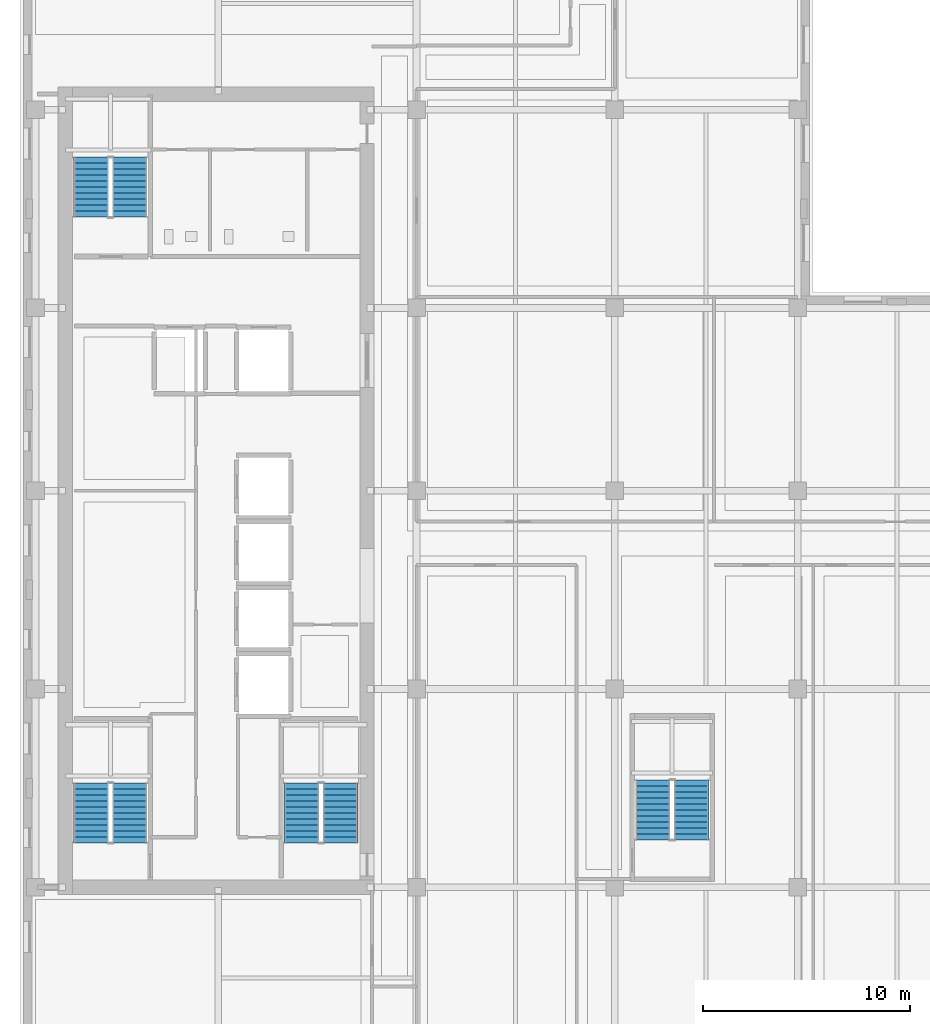
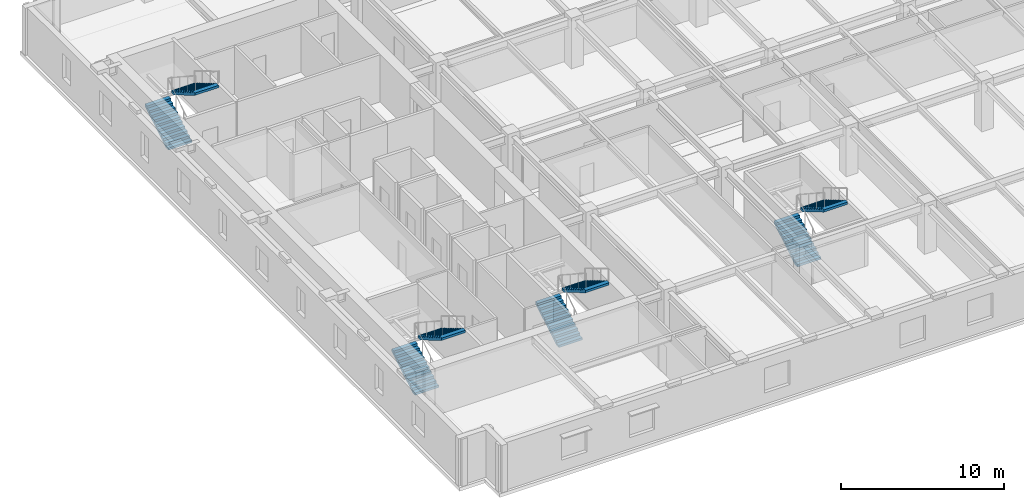
# One storey, part 7 of 14: 8 stair flights, 4 elements without a shape of their own.
"""IFC4 building model written with IfcOpenShell, lengths in metres."""

from ifc_helpers import new_model, si_unit, direction, frame, origin, place, context, subcontext, project, spatial, polyline, outline, extrude, material, type_object, element, aggregate, save


model = new_model("IFC4")

# Units and contexts
model_context = context("Model", 3, precision=1e-05, world=origin(), true_north=direction((0.0, 1.0)))
body_context = subcontext(model_context, "Body", "Model", "MODEL_VIEW")
ifc_project = project(units=[si_unit("LENGTHUNIT", "METRE"), si_unit("AREAUNIT", "SQUARE_METRE"), si_unit("VOLUMEUNIT", "CUBIC_METRE"), si_unit("PLANEANGLEUNIT", "RADIAN"), si_unit("MASSUNIT", "GRAM", prefix="KILO")], contexts=[model_context])

# Site, building, storey
site_placement = place(None, origin())
site = spatial("IfcSite", under=ifc_project, at=site_placement, CompositionType="ELEMENT")
building_placement = place(site_placement, origin())
building = spatial("IfcBuilding", under=site, at=building_placement, Name="Norrvale University Quadrangle", CompositionType="ELEMENT")
storey_placement = place(building_placement, frame((0.0, 0.0, 214.199951171875)))
storey = spatial("IfcBuildingStorey", under=building, at=storey_placement, Name="L54", CompositionType="ELEMENT", Elevation=214.199951171875)

# Stair, stair flights
ifc_material = material(Name="Concrete C40/50", Category="concrete")
stair_type = type_object("IfcStairType", Name="Stair Tower Typ 3800", PredefinedType="TWO_STRAIGHT_RUN_STAIR", material=ifc_material)
stair_1_placement = place(storey_placement, origin())
stair_1 = element("IfcStair", 1, at=stair_1_placement, inside=storey, type_object=stair_type, Name="Exit Stair ST-01 L54", PredefinedType="TWO_STRAIGHT_RUN_STAIR")
stair_flight_type = type_object("IfcStairFlightType", Name="Flight Typ 1500", PredefinedType="STRAIGHT", material=ifc_material)
stair_flight_1_placement = place(storey_placement, frame((3.429931640625, 11.75, 0.0), z_axis=(0.0, 0.0, 1.0), x_axis=(0.0, 1.0, 0.0)))
stair_flight_1 = element("IfcStairFlight", 2, at=stair_flight_1_placement, type_object=stair_flight_type, Name="Exit Stair ST-01 L54 Lower Flight", NumberOfRisers=11, NumberOfTreads=10, PredefinedType="STRAIGHT", RiserHeight=0.172727, TreadLength=0.29, context=body_context, shape_type="SweptSolid", body=[
    extrude(outline(polyline([(0.0, 0.0), (0.0, 0.172607421875), (0.2900390625, 0.172607421875), (0.2900390625, 0.345458984375), (0.580078125, 0.345458984375), (0.580078125, 0.51806640625), (0.8701171875, 0.51806640625), (0.8701171875, 0.69091796875), (1.159912109375, 0.69091796875), (1.159912109375, 0.863525390625), (1.449951171875, 0.863525390625), (1.449951171875, 1.036376953125), (1.739990234375, 1.036376953125), (1.739990234375, 1.208984375), (2.030029296875, 1.208984375), (2.030029296875, 1.3818359375), (2.320068359375, 1.3818359375), (2.320068359375, 1.554443359375), (2.610107421875, 1.554443359375), (2.610107421875, 1.727294921875), (2.89990234375, 1.727294921875), (2.89990234375, 1.89990234375), (2.89990234375, 1.552734375), (0.29296875, 0.0), (0.0, 0.0)])), frame((0.0, 0.83984375, 0.0), z_axis=(0.0, -1.0, 0.0), x_axis=(1.0, 0.0, 0.0)), (0.0, 0.0, 1.0), 1.679931640625),
])
stair_flight_2_placement = place(storey_placement, frame((5.320068359375, 14.64990234375, 1.900146484375), z_axis=(0.0, 0.0, 1.0), x_axis=(0.0, -1.0, 0.0)))
stair_flight_2 = element("IfcStairFlight", 3, at=stair_flight_2_placement, type_object=stair_flight_type, Name="Exit Stair ST-01 L54 Upper Flight", NumberOfRisers=11, NumberOfTreads=10, PredefinedType="STRAIGHT", RiserHeight=0.172727, TreadLength=0.29, context=body_context, shape_type="SweptSolid", body=[
    extrude(outline(polyline([(0.0, 0.0), (0.0, 0.172607421875), (0.2900390625, 0.172607421875), (0.2900390625, 0.345458984375), (0.580078125, 0.345458984375), (0.580078125, 0.51806640625), (0.8701171875, 0.51806640625), (0.8701171875, 0.69091796875), (1.159912109375, 0.69091796875), (1.159912109375, 0.863525390625), (1.449951171875, 0.863525390625), (1.449951171875, 1.036376953125), (1.739990234375, 1.036376953125), (1.739990234375, 1.208984375), (2.030029296875, 1.208984375), (2.030029296875, 1.3818359375), (2.320068359375, 1.3818359375), (2.320068359375, 1.554443359375), (2.610107421875, 1.554443359375), (2.610107421875, 1.727294921875), (2.89990234375, 1.727294921875), (2.89990234375, 1.89990234375), (2.89990234375, 1.552734375), (0.29296875, 0.0), (0.0, 0.0)])), frame((0.0, 0.83984375, 0.0), z_axis=(0.0, -1.0, 0.0), x_axis=(1.0, 0.0, 0.0)), (0.0, 0.0, 1.0), 1.679931640625),
])
aggregate(stair_1, [stair_flight_1, stair_flight_2])

stair_2_placement = place(storey_placement, origin())
stair_2 = element("IfcStair", 4, at=stair_2_placement, inside=storey, type_object=stair_type, Name="Exit Stair ST-02 L54", PredefinedType="TWO_STRAIGHT_RUN_STAIR")
stair_flight_3_placement = place(storey_placement, frame((3.429931640625, 42.050048828125, 0.0), z_axis=(0.0, 0.0, 1.0), x_axis=(0.0, 1.0, 0.0)))
stair_flight_3 = element("IfcStairFlight", 5, at=stair_flight_3_placement, type_object=stair_flight_type, Name="Exit Stair ST-02 L54 Lower Flight", NumberOfRisers=11, NumberOfTreads=10, PredefinedType="STRAIGHT", RiserHeight=0.172727, TreadLength=0.29, context=body_context, shape_type="SweptSolid", body=[
    extrude(outline(polyline([(0.0, 0.0), (0.0, 0.172607421875), (0.2900390625, 0.172607421875), (0.2900390625, 0.345458984375), (0.580078125, 0.345458984375), (0.580078125, 0.51806640625), (0.8701171875, 0.51806640625), (0.8701171875, 0.69091796875), (1.159912109375, 0.69091796875), (1.159912109375, 0.863525390625), (1.449951171875, 0.863525390625), (1.449951171875, 1.036376953125), (1.739990234375, 1.036376953125), (1.739990234375, 1.208984375), (2.030029296875, 1.208984375), (2.030029296875, 1.3818359375), (2.320068359375, 1.3818359375), (2.320068359375, 1.554443359375), (2.610107421875, 1.554443359375), (2.610107421875, 1.727294921875), (2.89990234375, 1.727294921875), (2.89990234375, 1.89990234375), (2.89990234375, 1.552734375), (0.29296875, 0.0), (0.0, 0.0)])), frame((0.0, 0.83984375, 0.0), z_axis=(0.0, -1.0, 0.0), x_axis=(1.0, 0.0, 0.0)), (0.0, 0.0, 1.0), 1.679931640625),
])
stair_flight_4_placement = place(storey_placement, frame((5.320068359375, 44.949951171875, 1.900146484375), z_axis=(0.0, 0.0, 1.0), x_axis=(0.0, -1.0, 0.0)))
stair_flight_4 = element("IfcStairFlight", 6, at=stair_flight_4_placement, type_object=stair_flight_type, Name="Exit Stair ST-02 L54 Upper Flight", NumberOfRisers=11, NumberOfTreads=10, PredefinedType="STRAIGHT", RiserHeight=0.172727, TreadLength=0.29, context=body_context, shape_type="SweptSolid", body=[
    extrude(outline(polyline([(0.0, 0.0), (0.0, 0.172607421875), (0.2900390625, 0.172607421875), (0.2900390625, 0.345458984375), (0.580078125, 0.345458984375), (0.580078125, 0.51806640625), (0.8701171875, 0.51806640625), (0.8701171875, 0.69091796875), (1.159912109375, 0.69091796875), (1.159912109375, 0.863525390625), (1.449951171875, 0.863525390625), (1.449951171875, 1.036376953125), (1.739990234375, 1.036376953125), (1.739990234375, 1.208984375), (2.030029296875, 1.208984375), (2.030029296875, 1.3818359375), (2.320068359375, 1.3818359375), (2.320068359375, 1.554443359375), (2.610107421875, 1.554443359375), (2.610107421875, 1.727294921875), (2.89990234375, 1.727294921875), (2.89990234375, 1.89990234375), (2.89990234375, 1.552734375), (0.29296875, 0.0), (0.0, 0.0)])), frame((0.0, 0.83984375, 0.0), z_axis=(0.0, -1.0, 0.0), x_axis=(1.0, 0.0, 0.0)), (0.0, 0.0, 1.0), 1.679931640625),
])
aggregate(stair_2, [stair_flight_3, stair_flight_4])

stair_3_placement = place(storey_placement, origin())
stair_3 = element("IfcStair", 7, at=stair_3_placement, inside=storey, type_object=stair_type, Name="Exit Stair ST-03 L54", PredefinedType="TWO_STRAIGHT_RUN_STAIR")
stair_flight_5_placement = place(storey_placement, frame((13.6298828125, 11.75, 0.0), z_axis=(0.0, 0.0, 1.0), x_axis=(0.0, 1.0, 0.0)))
stair_flight_5 = element("IfcStairFlight", 8, at=stair_flight_5_placement, type_object=stair_flight_type, Name="Exit Stair ST-03 L54 Lower Flight", NumberOfRisers=11, NumberOfTreads=10, PredefinedType="STRAIGHT", RiserHeight=0.172727, TreadLength=0.29, context=body_context, shape_type="SweptSolid", body=[
    extrude(outline(polyline([(0.0, 0.0), (0.0, 0.172607421875), (0.2900390625, 0.172607421875), (0.2900390625, 0.345458984375), (0.580078125, 0.345458984375), (0.580078125, 0.51806640625), (0.8701171875, 0.51806640625), (0.8701171875, 0.69091796875), (1.159912109375, 0.69091796875), (1.159912109375, 0.863525390625), (1.449951171875, 0.863525390625), (1.449951171875, 1.036376953125), (1.739990234375, 1.036376953125), (1.739990234375, 1.208984375), (2.030029296875, 1.208984375), (2.030029296875, 1.3818359375), (2.320068359375, 1.3818359375), (2.320068359375, 1.554443359375), (2.610107421875, 1.554443359375), (2.610107421875, 1.727294921875), (2.89990234375, 1.727294921875), (2.89990234375, 1.89990234375), (2.89990234375, 1.552734375), (0.29296875, 0.0), (0.0, 0.0)])), frame((0.0, 0.83984375, 0.0), z_axis=(0.0, -1.0, 0.0), x_axis=(1.0, 0.0, 0.0)), (0.0, 0.0, 1.0), 1.679931640625),
])
stair_flight_6_placement = place(storey_placement, frame((15.52001953125, 14.64990234375, 1.900146484375), z_axis=(0.0, 0.0, 1.0), x_axis=(0.0, -1.0, 0.0)))
stair_flight_6 = element("IfcStairFlight", 9, at=stair_flight_6_placement, type_object=stair_flight_type, Name="Exit Stair ST-03 L54 Upper Flight", NumberOfRisers=11, NumberOfTreads=10, PredefinedType="STRAIGHT", RiserHeight=0.172727, TreadLength=0.29, context=body_context, shape_type="SweptSolid", body=[
    extrude(outline(polyline([(0.0, 0.0), (0.0, 0.172607421875), (0.2900390625, 0.172607421875), (0.2900390625, 0.345458984375), (0.580078125, 0.345458984375), (0.580078125, 0.51806640625), (0.8701171875, 0.51806640625), (0.8701171875, 0.69091796875), (1.159912109375, 0.69091796875), (1.159912109375, 0.863525390625), (1.449951171875, 0.863525390625), (1.449951171875, 1.036376953125), (1.739990234375, 1.036376953125), (1.739990234375, 1.208984375), (2.030029296875, 1.208984375), (2.030029296875, 1.3818359375), (2.320068359375, 1.3818359375), (2.320068359375, 1.554443359375), (2.610107421875, 1.554443359375), (2.610107421875, 1.727294921875), (2.89990234375, 1.727294921875), (2.89990234375, 1.89990234375), (2.89990234375, 1.552734375), (0.29296875, 0.0), (0.0, 0.0)])), frame((0.0, 0.83984375, 0.0), z_axis=(0.0, -1.0, 0.0), x_axis=(1.0, 0.0, 0.0)), (0.0, 0.0, 1.0), 1.679931640625),
])
aggregate(stair_3, [stair_flight_5, stair_flight_6])

stair_4_placement = place(storey_placement, origin())
stair_4 = element("IfcStair", 10, at=stair_4_placement, inside=storey, type_object=stair_type, Name="Exit Stair ST-04 L54", PredefinedType="TWO_STRAIGHT_RUN_STAIR")
stair_flight_7_placement = place(storey_placement, frame((30.6298828125, 11.89990234375, 0.0), z_axis=(0.0, 0.0, 1.0), x_axis=(0.0, 1.0, 0.0)))
stair_flight_7 = element("IfcStairFlight", 11, at=stair_flight_7_placement, type_object=stair_flight_type, Name="Exit Stair ST-04 L54 Lower Flight", NumberOfRisers=11, NumberOfTreads=10, PredefinedType="STRAIGHT", RiserHeight=0.172727, TreadLength=0.29, context=body_context, shape_type="SweptSolid", body=[
    extrude(outline(polyline([(0.0, 0.0), (0.0, 0.172607421875), (0.2900390625, 0.172607421875), (0.2900390625, 0.345458984375), (0.580078125, 0.345458984375), (0.580078125, 0.51806640625), (0.8701171875, 0.51806640625), (0.8701171875, 0.69091796875), (1.159912109375, 0.69091796875), (1.159912109375, 0.863525390625), (1.449951171875, 0.863525390625), (1.449951171875, 1.036376953125), (1.739990234375, 1.036376953125), (1.739990234375, 1.208984375), (2.030029296875, 1.208984375), (2.030029296875, 1.3818359375), (2.320068359375, 1.3818359375), (2.320068359375, 1.554443359375), (2.610107421875, 1.554443359375), (2.610107421875, 1.727294921875), (2.89990234375, 1.727294921875), (2.89990234375, 1.89990234375), (2.89990234375, 1.552734375), (0.29296875, 0.0), (0.0, 0.0)])), frame((0.0, 0.83984375, 0.0), z_axis=(0.0, -1.0, 0.0), x_axis=(1.0, 0.0, 0.0)), (0.0, 0.0, 1.0), 1.679931640625),
])
stair_flight_8_placement = place(storey_placement, frame((32.52001953125, 14.800048828125, 1.900146484375), z_axis=(0.0, 0.0, 1.0), x_axis=(0.0, -1.0, 0.0)))
stair_flight_8 = element("IfcStairFlight", 12, at=stair_flight_8_placement, type_object=stair_flight_type, Name="Exit Stair ST-04 L54 Upper Flight", NumberOfRisers=11, NumberOfTreads=10, PredefinedType="STRAIGHT", RiserHeight=0.172727, TreadLength=0.29, context=body_context, shape_type="SweptSolid", body=[
    extrude(outline(polyline([(0.0, 0.0), (0.0, 0.172607421875), (0.2900390625, 0.172607421875), (0.2900390625, 0.345458984375), (0.580078125, 0.345458984375), (0.580078125, 0.51806640625), (0.8701171875, 0.51806640625), (0.8701171875, 0.69091796875), (1.159912109375, 0.69091796875), (1.159912109375, 0.863525390625), (1.449951171875, 0.863525390625), (1.449951171875, 1.036376953125), (1.739990234375, 1.036376953125), (1.739990234375, 1.208984375), (2.030029296875, 1.208984375), (2.030029296875, 1.3818359375), (2.320068359375, 1.3818359375), (2.320068359375, 1.554443359375), (2.610107421875, 1.554443359375), (2.610107421875, 1.727294921875), (2.89990234375, 1.727294921875), (2.89990234375, 1.89990234375), (2.89990234375, 1.552734375), (0.29296875, 0.0), (0.0, 0.0)])), frame((0.0, 0.83984375, 0.0), z_axis=(0.0, -1.0, 0.0), x_axis=(1.0, 0.0, 0.0)), (0.0, 0.0, 1.0), 1.679931640625),
])
aggregate(stair_4, [stair_flight_7, stair_flight_8])

save(model, "model.ifc")
